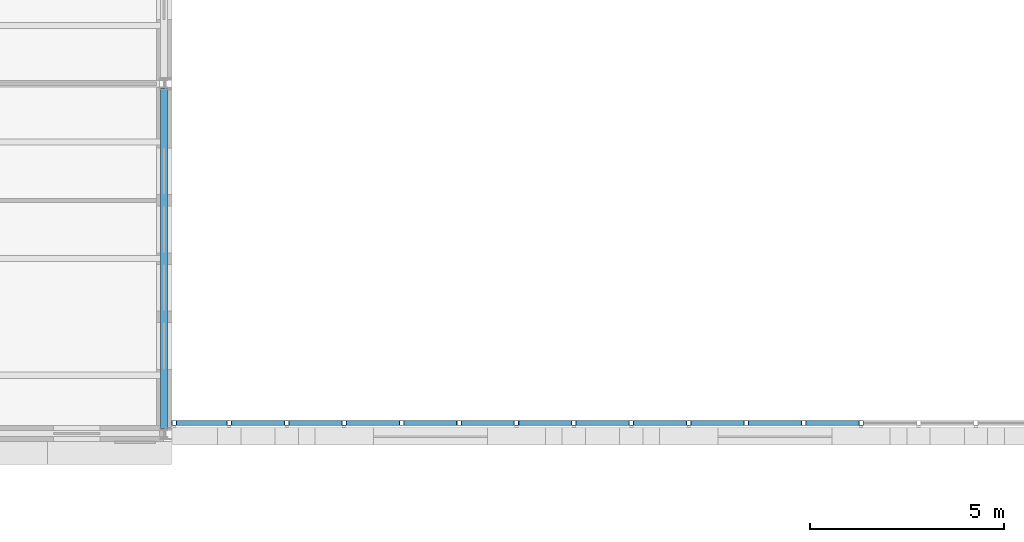
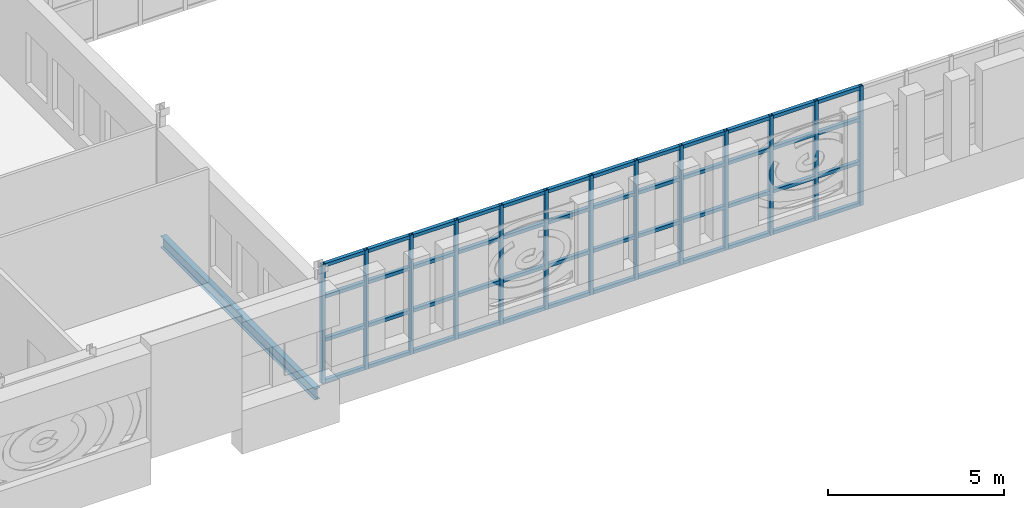
# One storey, part 22 of 154: 61 members, 1 beam, 1 element without a shape of its own.
"""IFC4 building model written with IfcOpenShell, lengths in metres."""

from ifc_helpers import new_model, si_unit, direction, frame, origin, origin_2d, place, context, subcontext, project, spatial, hollow_rectangle, i_section, extrude, material, material_profile, profile_set, type_object, element, aggregate, save


model = new_model("IFC4")

# Units and contexts
model_context = context("Model", 3, precision=1e-05, world=origin(), true_north=direction((0.0, 1.0)))
body_context = subcontext(model_context, "Body", "Model", "MODEL_VIEW")
ifc_project = project(units=[si_unit("LENGTHUNIT", "METRE"), si_unit("AREAUNIT", "SQUARE_METRE"), si_unit("VOLUMEUNIT", "CUBIC_METRE"), si_unit("PLANEANGLEUNIT", "RADIAN"), si_unit("MASSUNIT", "GRAM", prefix="KILO")], contexts=[model_context])

# Site, building, storey
site_placement = place(None, origin())
site = spatial("IfcSite", under=ifc_project, at=site_placement, CompositionType="ELEMENT")
building_placement = place(site_placement, origin())
building = spatial("IfcBuilding", under=site, at=building_placement, Name="Golden Quay Civic Hall", CompositionType="ELEMENT")
storey_placement = place(building_placement, frame((0.0, 0.0, 14.39990234375)))
storey = spatial("IfcBuildingStorey", under=building, at=storey_placement, Name="L03", CompositionType="ELEMENT", Elevation=14.39990234375)

# Beam
ifc_material_1 = material(Name="Steel S355", Category="steel")
ifc_material_profile_1 = material_profile(ifc_material_1, i_section(OverallWidth=0.179931640625, OverallDepth=0.39990234375, WebThickness=0.008544921875, FlangeThickness=0.013427734375, FilletRadius=0.02099609375, at=origin_2d()), Name="IPE 400")
ifc_profile_set_1 = profile_set([ifc_material_profile_1], Name="Steel S355")
beam_type = type_object("IfcBeamType", Name="Steel beam IPE 400", PredefinedType="BEAM", material=ifc_profile_set_1)
beam_placement = place(storey_placement, frame((72.0, 0.114990234375, -0.39990234375), z_axis=(0.0, 1.0, 0.0), x_axis=(-1.0, 0.0, 0.0)))
element("IfcBeam", 1, at=beam_placement, inside=storey, type_object=beam_type, Name="Beam L72-0", PredefinedType="BEAM", context=body_context, shape_type="SweptSolid", body=[
    extrude(i_section(OverallWidth=0.179931640625, OverallDepth=0.39990234375, WebThickness=0.008544921875, FlangeThickness=0.013427734375, FilletRadius=0.02099609375, at=origin_2d()), origin(), (0.0, 0.0, 1.0), 8.77001953125),
])

# Curtain wall, members
ifc_material_2 = material(Name="Glass and aluminium", Category="aluminium")
curtain_wall_type = type_object("IfcCurtainWallType", Name="Glazed curtain wall 1500 module", PredefinedType="NOTDEFINED", material=ifc_material_2)
curtain_wall_placement = place(storey_placement, origin())
curtain_wall = element("IfcCurtainWall", 2, at=curtain_wall_placement, inside=storey, type_object=curtain_wall_type, Name="CW1 curtain wall", PredefinedType="NOTDEFINED")
ifc_material_3 = material(Name="Steel S355", Category="steel")
ifc_material_profile_2 = material_profile(ifc_material_3, hollow_rectangle(XDim=0.1201171875, YDim=0.1201171875, WallThickness=0.008056640625, at=origin_2d()), Name="SHS 120x120x8")
ifc_profile_set_2 = profile_set([ifc_material_profile_2], Name="Steel S355")
member_type_1 = type_object("IfcMemberType", Name="Steel mullion SHS 120x120x8", PredefinedType="MULLION", material=ifc_profile_set_2)
member_1_placement = place(storey_placement, frame((72.260009765625, 0.27001953125, -0.199951171875), z_axis=(0.0, 0.0, 1.0), x_axis=(0.0, 1.0, 0.0)))
member_1 = element("IfcMember", 3, at=member_1_placement, type_object=member_type_1, Name="CW1 mullion 1", PredefinedType="MULLION", context=body_context, shape_type="SweptSolid", body=[
    extrude(hollow_rectangle(XDim=0.1201171875, YDim=0.1201171875, WallThickness=0.008056640625, at=origin_2d()), origin(), (0.0, 0.0, 1.0), 4.150146484375),
])
member_2_placement = place(storey_placement, frame((73.677734375, 0.27001953125, -0.199951171875), z_axis=(0.0, 0.0, 1.0), x_axis=(0.0, 1.0, 0.0)))
member_2 = element("IfcMember", 4, at=member_2_placement, type_object=member_type_1, Name="CW1 mullion 2", PredefinedType="MULLION", context=body_context, shape_type="SweptSolid", body=[
    extrude(hollow_rectangle(XDim=0.1201171875, YDim=0.1201171875, WallThickness=0.008056640625, at=origin_2d()), origin(), (0.0, 0.0, 1.0), 4.150146484375),
])
member_3_placement = place(storey_placement, frame((75.155517578125, 0.27001953125, -0.199951171875), z_axis=(0.0, 0.0, 1.0), x_axis=(0.0, 1.0, 0.0)))
member_3 = element("IfcMember", 5, at=member_3_placement, type_object=member_type_1, Name="CW1 mullion 3", PredefinedType="MULLION", context=body_context, shape_type="SweptSolid", body=[
    extrude(hollow_rectangle(XDim=0.1201171875, YDim=0.1201171875, WallThickness=0.008056640625, at=origin_2d()), origin(), (0.0, 0.0, 1.0), 4.150146484375),
])
member_4_placement = place(storey_placement, frame((76.63330078125, 0.27001953125, -0.199951171875), z_axis=(0.0, 0.0, 1.0), x_axis=(0.0, 1.0, 0.0)))
member_4 = element("IfcMember", 6, at=member_4_placement, type_object=member_type_1, Name="CW1 mullion 4", PredefinedType="MULLION", context=body_context, shape_type="SweptSolid", body=[
    extrude(hollow_rectangle(XDim=0.1201171875, YDim=0.1201171875, WallThickness=0.008056640625, at=origin_2d()), origin(), (0.0, 0.0, 1.0), 4.150146484375),
])
member_5_placement = place(storey_placement, frame((78.111083984375, 0.27001953125, -0.199951171875), z_axis=(0.0, 0.0, 1.0), x_axis=(0.0, 1.0, 0.0)))
member_5 = element("IfcMember", 7, at=member_5_placement, type_object=member_type_1, Name="CW1 mullion 5", PredefinedType="MULLION", context=body_context, shape_type="SweptSolid", body=[
    extrude(hollow_rectangle(XDim=0.1201171875, YDim=0.1201171875, WallThickness=0.008056640625, at=origin_2d()), origin(), (0.0, 0.0, 1.0), 4.150146484375),
])
member_6_placement = place(storey_placement, frame((79.5888671875, 0.27001953125, -0.199951171875), z_axis=(0.0, 0.0, 1.0), x_axis=(0.0, 1.0, 0.0)))
member_6 = element("IfcMember", 8, at=member_6_placement, type_object=member_type_1, Name="CW1 mullion 6", PredefinedType="MULLION", context=body_context, shape_type="SweptSolid", body=[
    extrude(hollow_rectangle(XDim=0.1201171875, YDim=0.1201171875, WallThickness=0.008056640625, at=origin_2d()), origin(), (0.0, 0.0, 1.0), 4.150146484375),
])
member_7_placement = place(storey_placement, frame((81.066650390625, 0.27001953125, -0.199951171875), z_axis=(0.0, 0.0, 1.0), x_axis=(0.0, 1.0, 0.0)))
member_7 = element("IfcMember", 9, at=member_7_placement, type_object=member_type_1, Name="CW1 mullion 7", PredefinedType="MULLION", context=body_context, shape_type="SweptSolid", body=[
    extrude(hollow_rectangle(XDim=0.1201171875, YDim=0.1201171875, WallThickness=0.008056640625, at=origin_2d()), origin(), (0.0, 0.0, 1.0), 4.150146484375),
])
member_8_placement = place(storey_placement, frame((82.54443359375, 0.27001953125, -0.199951171875), z_axis=(0.0, 0.0, 1.0), x_axis=(0.0, 1.0, 0.0)))
member_8 = element("IfcMember", 10, at=member_8_placement, type_object=member_type_1, Name="CW1 mullion 8", PredefinedType="MULLION", context=body_context, shape_type="SweptSolid", body=[
    extrude(hollow_rectangle(XDim=0.1201171875, YDim=0.1201171875, WallThickness=0.008056640625, at=origin_2d()), origin(), (0.0, 0.0, 1.0), 4.150146484375),
])
member_9_placement = place(storey_placement, frame((84.022216796875, 0.27001953125, -0.199951171875), z_axis=(0.0, 0.0, 1.0), x_axis=(0.0, 1.0, 0.0)))
member_9 = element("IfcMember", 11, at=member_9_placement, type_object=member_type_1, Name="CW1 mullion 9", PredefinedType="MULLION", context=body_context, shape_type="SweptSolid", body=[
    extrude(hollow_rectangle(XDim=0.1201171875, YDim=0.1201171875, WallThickness=0.008056640625, at=origin_2d()), origin(), (0.0, 0.0, 1.0), 4.150146484375),
])
member_10_placement = place(storey_placement, frame((85.5, 0.27001953125, -0.199951171875), z_axis=(0.0, 0.0, 1.0), x_axis=(0.0, 1.0, 0.0)))
member_10 = element("IfcMember", 12, at=member_10_placement, type_object=member_type_1, Name="CW1 mullion 10", PredefinedType="MULLION", context=body_context, shape_type="SweptSolid", body=[
    extrude(hollow_rectangle(XDim=0.1201171875, YDim=0.1201171875, WallThickness=0.008056640625, at=origin_2d()), origin(), (0.0, 0.0, 1.0), 4.150146484375),
])
member_11_placement = place(storey_placement, frame((86.977783203125, 0.27001953125, -0.199951171875), z_axis=(0.0, 0.0, 1.0), x_axis=(0.0, 1.0, 0.0)))
member_11 = element("IfcMember", 13, at=member_11_placement, type_object=member_type_1, Name="CW1 mullion 11", PredefinedType="MULLION", context=body_context, shape_type="SweptSolid", body=[
    extrude(hollow_rectangle(XDim=0.1201171875, YDim=0.1201171875, WallThickness=0.008056640625, at=origin_2d()), origin(), (0.0, 0.0, 1.0), 4.150146484375),
])
member_12_placement = place(storey_placement, frame((88.45556640625, 0.27001953125, -0.199951171875), z_axis=(0.0, 0.0, 1.0), x_axis=(0.0, 1.0, 0.0)))
member_12 = element("IfcMember", 14, at=member_12_placement, type_object=member_type_1, Name="CW1 mullion 12", PredefinedType="MULLION", context=body_context, shape_type="SweptSolid", body=[
    extrude(hollow_rectangle(XDim=0.1201171875, YDim=0.1201171875, WallThickness=0.008056640625, at=origin_2d()), origin(), (0.0, 0.0, 1.0), 4.150146484375),
])
member_13_placement = place(storey_placement, frame((89.933349609375, 0.27001953125, -0.199951171875), z_axis=(0.0, 0.0, 1.0), x_axis=(0.0, 1.0, 0.0)))
member_13 = element("IfcMember", 15, at=member_13_placement, type_object=member_type_1, Name="CW1 mullion 13", PredefinedType="MULLION", context=body_context, shape_type="SweptSolid", body=[
    extrude(hollow_rectangle(XDim=0.1201171875, YDim=0.1201171875, WallThickness=0.008056640625, at=origin_2d()), origin(), (0.0, 0.0, 1.0), 4.150146484375),
])
ifc_material_4 = material(Name="Steel S355", Category="steel")
ifc_material_profile_3 = material_profile(ifc_material_4, hollow_rectangle(XDim=0.1201171875, YDim=0.1201171875, WallThickness=0.008056640625, at=origin_2d()), Name="SHS 120x120x8")
ifc_profile_set_3 = profile_set([ifc_material_profile_3], Name="Steel S355")
member_type_2 = type_object("IfcMemberType", Name="Steel transom SHS 120x120x8", PredefinedType="USERDEFINED", material=ifc_profile_set_3)
member_14_placement = place(storey_placement, frame((72.320068359375, 0.27001953125, -0.139892578125), z_axis=(1.0, 0.0, 0.0), x_axis=(0.0, 1.0, 0.0)))
member_14 = element("IfcMember", 16, at=member_14_placement, type_object=member_type_2, Name="CW1 transom 1.1", ObjectType="TRANSOM", PredefinedType="USERDEFINED", context=body_context, shape_type="SweptSolid", body=[
    extrude(hollow_rectangle(XDim=0.1201171875, YDim=0.1201171875, WallThickness=0.008056640625, at=origin_2d()), origin(), (0.0, 0.0, 1.0), 1.297607421875),
])
member_15_placement = place(storey_placement, frame((72.320068359375, 0.27001953125, 1.300048828125), z_axis=(1.0, 0.0, 0.0), x_axis=(0.0, 1.0, 0.0)))
member_15 = element("IfcMember", 17, at=member_15_placement, type_object=member_type_2, Name="CW1 transom 1.2", ObjectType="TRANSOM", PredefinedType="USERDEFINED", context=body_context, shape_type="SweptSolid", body=[
    extrude(hollow_rectangle(XDim=0.1201171875, YDim=0.1201171875, WallThickness=0.008056640625, at=origin_2d()), origin(), (0.0, 0.0, 1.0), 1.297607421875),
])
member_16_placement = place(storey_placement, frame((72.320068359375, 0.27001953125, 2.800048828125), z_axis=(1.0, 0.0, 0.0), x_axis=(0.0, 1.0, 0.0)))
member_16 = element("IfcMember", 18, at=member_16_placement, type_object=member_type_2, Name="CW1 transom 1.3", ObjectType="TRANSOM", PredefinedType="USERDEFINED", context=body_context, shape_type="SweptSolid", body=[
    extrude(hollow_rectangle(XDim=0.1201171875, YDim=0.1201171875, WallThickness=0.008056640625, at=origin_2d()), origin(), (0.0, 0.0, 1.0), 1.297607421875),
])
member_17_placement = place(storey_placement, frame((72.320068359375, 0.27001953125, 3.89013671875), z_axis=(1.0, 0.0, 0.0), x_axis=(0.0, 1.0, 0.0)))
member_17 = element("IfcMember", 19, at=member_17_placement, type_object=member_type_2, Name="CW1 transom 1.4", ObjectType="TRANSOM", PredefinedType="USERDEFINED", context=body_context, shape_type="SweptSolid", body=[
    extrude(hollow_rectangle(XDim=0.1201171875, YDim=0.1201171875, WallThickness=0.008056640625, at=origin_2d()), origin(), (0.0, 0.0, 1.0), 1.297607421875),
])
member_18_placement = place(storey_placement, frame((73.73779296875, 0.27001953125, -0.139892578125), z_axis=(1.0, 0.0, 0.0), x_axis=(0.0, 1.0, 0.0)))
member_18 = element("IfcMember", 20, at=member_18_placement, type_object=member_type_2, Name="CW1 transom 2.1", ObjectType="TRANSOM", PredefinedType="USERDEFINED", context=body_context, shape_type="SweptSolid", body=[
    extrude(hollow_rectangle(XDim=0.1201171875, YDim=0.1201171875, WallThickness=0.008056640625, at=origin_2d()), origin(), (0.0, 0.0, 1.0), 1.357666015625),
])
member_19_placement = place(storey_placement, frame((73.73779296875, 0.27001953125, 1.300048828125), z_axis=(1.0, 0.0, 0.0), x_axis=(0.0, 1.0, 0.0)))
member_19 = element("IfcMember", 21, at=member_19_placement, type_object=member_type_2, Name="CW1 transom 2.2", ObjectType="TRANSOM", PredefinedType="USERDEFINED", context=body_context, shape_type="SweptSolid", body=[
    extrude(hollow_rectangle(XDim=0.1201171875, YDim=0.1201171875, WallThickness=0.008056640625, at=origin_2d()), origin(), (0.0, 0.0, 1.0), 1.357666015625),
])
member_20_placement = place(storey_placement, frame((73.73779296875, 0.27001953125, 2.800048828125), z_axis=(1.0, 0.0, 0.0), x_axis=(0.0, 1.0, 0.0)))
member_20 = element("IfcMember", 22, at=member_20_placement, type_object=member_type_2, Name="CW1 transom 2.3", ObjectType="TRANSOM", PredefinedType="USERDEFINED", context=body_context, shape_type="SweptSolid", body=[
    extrude(hollow_rectangle(XDim=0.1201171875, YDim=0.1201171875, WallThickness=0.008056640625, at=origin_2d()), origin(), (0.0, 0.0, 1.0), 1.357666015625),
])
member_21_placement = place(storey_placement, frame((73.73779296875, 0.27001953125, 3.89013671875), z_axis=(1.0, 0.0, 0.0), x_axis=(0.0, 1.0, 0.0)))
member_21 = element("IfcMember", 23, at=member_21_placement, type_object=member_type_2, Name="CW1 transom 2.4", ObjectType="TRANSOM", PredefinedType="USERDEFINED", context=body_context, shape_type="SweptSolid", body=[
    extrude(hollow_rectangle(XDim=0.1201171875, YDim=0.1201171875, WallThickness=0.008056640625, at=origin_2d()), origin(), (0.0, 0.0, 1.0), 1.357666015625),
])
member_22_placement = place(storey_placement, frame((75.215576171875, 0.27001953125, -0.139892578125), z_axis=(1.0, 0.0, 0.0), x_axis=(0.0, 1.0, 0.0)))
member_22 = element("IfcMember", 24, at=member_22_placement, type_object=member_type_2, Name="CW1 transom 3.1", ObjectType="TRANSOM", PredefinedType="USERDEFINED", context=body_context, shape_type="SweptSolid", body=[
    extrude(hollow_rectangle(XDim=0.1201171875, YDim=0.1201171875, WallThickness=0.008056640625, at=origin_2d()), origin(), (0.0, 0.0, 1.0), 1.357666015625),
])
member_23_placement = place(storey_placement, frame((75.215576171875, 0.27001953125, 1.300048828125), z_axis=(1.0, 0.0, 0.0), x_axis=(0.0, 1.0, 0.0)))
member_23 = element("IfcMember", 25, at=member_23_placement, type_object=member_type_2, Name="CW1 transom 3.2", ObjectType="TRANSOM", PredefinedType="USERDEFINED", context=body_context, shape_type="SweptSolid", body=[
    extrude(hollow_rectangle(XDim=0.1201171875, YDim=0.1201171875, WallThickness=0.008056640625, at=origin_2d()), origin(), (0.0, 0.0, 1.0), 1.357666015625),
])
member_24_placement = place(storey_placement, frame((75.215576171875, 0.27001953125, 2.800048828125), z_axis=(1.0, 0.0, 0.0), x_axis=(0.0, 1.0, 0.0)))
member_24 = element("IfcMember", 26, at=member_24_placement, type_object=member_type_2, Name="CW1 transom 3.3", ObjectType="TRANSOM", PredefinedType="USERDEFINED", context=body_context, shape_type="SweptSolid", body=[
    extrude(hollow_rectangle(XDim=0.1201171875, YDim=0.1201171875, WallThickness=0.008056640625, at=origin_2d()), origin(), (0.0, 0.0, 1.0), 1.357666015625),
])
member_25_placement = place(storey_placement, frame((75.215576171875, 0.27001953125, 3.89013671875), z_axis=(1.0, 0.0, 0.0), x_axis=(0.0, 1.0, 0.0)))
member_25 = element("IfcMember", 27, at=member_25_placement, type_object=member_type_2, Name="CW1 transom 3.4", ObjectType="TRANSOM", PredefinedType="USERDEFINED", context=body_context, shape_type="SweptSolid", body=[
    extrude(hollow_rectangle(XDim=0.1201171875, YDim=0.1201171875, WallThickness=0.008056640625, at=origin_2d()), origin(), (0.0, 0.0, 1.0), 1.357666015625),
])
member_26_placement = place(storey_placement, frame((76.693359375, 0.27001953125, -0.139892578125), z_axis=(1.0, 0.0, 0.0), x_axis=(0.0, 1.0, 0.0)))
member_26 = element("IfcMember", 28, at=member_26_placement, type_object=member_type_2, Name="CW1 transom 4.1", ObjectType="TRANSOM", PredefinedType="USERDEFINED", context=body_context, shape_type="SweptSolid", body=[
    extrude(hollow_rectangle(XDim=0.1201171875, YDim=0.1201171875, WallThickness=0.008056640625, at=origin_2d()), origin(), (0.0, 0.0, 1.0), 1.357666015625),
])
member_27_placement = place(storey_placement, frame((76.693359375, 0.27001953125, 1.300048828125), z_axis=(1.0, 0.0, 0.0), x_axis=(0.0, 1.0, 0.0)))
member_27 = element("IfcMember", 29, at=member_27_placement, type_object=member_type_2, Name="CW1 transom 4.2", ObjectType="TRANSOM", PredefinedType="USERDEFINED", context=body_context, shape_type="SweptSolid", body=[
    extrude(hollow_rectangle(XDim=0.1201171875, YDim=0.1201171875, WallThickness=0.008056640625, at=origin_2d()), origin(), (0.0, 0.0, 1.0), 1.357666015625),
])
member_28_placement = place(storey_placement, frame((76.693359375, 0.27001953125, 2.800048828125), z_axis=(1.0, 0.0, 0.0), x_axis=(0.0, 1.0, 0.0)))
member_28 = element("IfcMember", 30, at=member_28_placement, type_object=member_type_2, Name="CW1 transom 4.3", ObjectType="TRANSOM", PredefinedType="USERDEFINED", context=body_context, shape_type="SweptSolid", body=[
    extrude(hollow_rectangle(XDim=0.1201171875, YDim=0.1201171875, WallThickness=0.008056640625, at=origin_2d()), origin(), (0.0, 0.0, 1.0), 1.357666015625),
])
member_29_placement = place(storey_placement, frame((76.693359375, 0.27001953125, 3.89013671875), z_axis=(1.0, 0.0, 0.0), x_axis=(0.0, 1.0, 0.0)))
member_29 = element("IfcMember", 31, at=member_29_placement, type_object=member_type_2, Name="CW1 transom 4.4", ObjectType="TRANSOM", PredefinedType="USERDEFINED", context=body_context, shape_type="SweptSolid", body=[
    extrude(hollow_rectangle(XDim=0.1201171875, YDim=0.1201171875, WallThickness=0.008056640625, at=origin_2d()), origin(), (0.0, 0.0, 1.0), 1.357666015625),
])
member_30_placement = place(storey_placement, frame((78.171142578125, 0.27001953125, -0.139892578125), z_axis=(1.0, 0.0, 0.0), x_axis=(0.0, 1.0, 0.0)))
member_30 = element("IfcMember", 32, at=member_30_placement, type_object=member_type_2, Name="CW1 transom 5.1", ObjectType="TRANSOM", PredefinedType="USERDEFINED", context=body_context, shape_type="SweptSolid", body=[
    extrude(hollow_rectangle(XDim=0.1201171875, YDim=0.1201171875, WallThickness=0.008056640625, at=origin_2d()), origin(), (0.0, 0.0, 1.0), 1.357666015625),
])
member_31_placement = place(storey_placement, frame((78.171142578125, 0.27001953125, 1.300048828125), z_axis=(1.0, 0.0, 0.0), x_axis=(0.0, 1.0, 0.0)))
member_31 = element("IfcMember", 33, at=member_31_placement, type_object=member_type_2, Name="CW1 transom 5.2", ObjectType="TRANSOM", PredefinedType="USERDEFINED", context=body_context, shape_type="SweptSolid", body=[
    extrude(hollow_rectangle(XDim=0.1201171875, YDim=0.1201171875, WallThickness=0.008056640625, at=origin_2d()), origin(), (0.0, 0.0, 1.0), 1.357666015625),
])
member_32_placement = place(storey_placement, frame((78.171142578125, 0.27001953125, 2.800048828125), z_axis=(1.0, 0.0, 0.0), x_axis=(0.0, 1.0, 0.0)))
member_32 = element("IfcMember", 34, at=member_32_placement, type_object=member_type_2, Name="CW1 transom 5.3", ObjectType="TRANSOM", PredefinedType="USERDEFINED", context=body_context, shape_type="SweptSolid", body=[
    extrude(hollow_rectangle(XDim=0.1201171875, YDim=0.1201171875, WallThickness=0.008056640625, at=origin_2d()), origin(), (0.0, 0.0, 1.0), 1.357666015625),
])
member_33_placement = place(storey_placement, frame((78.171142578125, 0.27001953125, 3.89013671875), z_axis=(1.0, 0.0, 0.0), x_axis=(0.0, 1.0, 0.0)))
member_33 = element("IfcMember", 35, at=member_33_placement, type_object=member_type_2, Name="CW1 transom 5.4", ObjectType="TRANSOM", PredefinedType="USERDEFINED", context=body_context, shape_type="SweptSolid", body=[
    extrude(hollow_rectangle(XDim=0.1201171875, YDim=0.1201171875, WallThickness=0.008056640625, at=origin_2d()), origin(), (0.0, 0.0, 1.0), 1.357666015625),
])
member_34_placement = place(storey_placement, frame((79.64892578125, 0.27001953125, -0.139892578125), z_axis=(1.0, 0.0, 0.0), x_axis=(0.0, 1.0, 0.0)))
member_34 = element("IfcMember", 36, at=member_34_placement, type_object=member_type_2, Name="CW1 transom 6.1", ObjectType="TRANSOM", PredefinedType="USERDEFINED", context=body_context, shape_type="SweptSolid", body=[
    extrude(hollow_rectangle(XDim=0.1201171875, YDim=0.1201171875, WallThickness=0.008056640625, at=origin_2d()), origin(), (0.0, 0.0, 1.0), 1.357666015625),
])
member_35_placement = place(storey_placement, frame((79.64892578125, 0.27001953125, 1.300048828125), z_axis=(1.0, 0.0, 0.0), x_axis=(0.0, 1.0, 0.0)))
member_35 = element("IfcMember", 37, at=member_35_placement, type_object=member_type_2, Name="CW1 transom 6.2", ObjectType="TRANSOM", PredefinedType="USERDEFINED", context=body_context, shape_type="SweptSolid", body=[
    extrude(hollow_rectangle(XDim=0.1201171875, YDim=0.1201171875, WallThickness=0.008056640625, at=origin_2d()), origin(), (0.0, 0.0, 1.0), 1.357666015625),
])
member_36_placement = place(storey_placement, frame((79.64892578125, 0.27001953125, 2.800048828125), z_axis=(1.0, 0.0, 0.0), x_axis=(0.0, 1.0, 0.0)))
member_36 = element("IfcMember", 38, at=member_36_placement, type_object=member_type_2, Name="CW1 transom 6.3", ObjectType="TRANSOM", PredefinedType="USERDEFINED", context=body_context, shape_type="SweptSolid", body=[
    extrude(hollow_rectangle(XDim=0.1201171875, YDim=0.1201171875, WallThickness=0.008056640625, at=origin_2d()), origin(), (0.0, 0.0, 1.0), 1.357666015625),
])
member_37_placement = place(storey_placement, frame((79.64892578125, 0.27001953125, 3.89013671875), z_axis=(1.0, 0.0, 0.0), x_axis=(0.0, 1.0, 0.0)))
member_37 = element("IfcMember", 39, at=member_37_placement, type_object=member_type_2, Name="CW1 transom 6.4", ObjectType="TRANSOM", PredefinedType="USERDEFINED", context=body_context, shape_type="SweptSolid", body=[
    extrude(hollow_rectangle(XDim=0.1201171875, YDim=0.1201171875, WallThickness=0.008056640625, at=origin_2d()), origin(), (0.0, 0.0, 1.0), 1.357666015625),
])
member_38_placement = place(storey_placement, frame((81.126708984375, 0.27001953125, -0.139892578125), z_axis=(1.0, 0.0, 0.0), x_axis=(0.0, 1.0, 0.0)))
member_38 = element("IfcMember", 40, at=member_38_placement, type_object=member_type_2, Name="CW1 transom 7.1", ObjectType="TRANSOM", PredefinedType="USERDEFINED", context=body_context, shape_type="SweptSolid", body=[
    extrude(hollow_rectangle(XDim=0.1201171875, YDim=0.1201171875, WallThickness=0.008056640625, at=origin_2d()), origin(), (0.0, 0.0, 1.0), 1.357666015625),
])
member_39_placement = place(storey_placement, frame((81.126708984375, 0.27001953125, 1.300048828125), z_axis=(1.0, 0.0, 0.0), x_axis=(0.0, 1.0, 0.0)))
member_39 = element("IfcMember", 41, at=member_39_placement, type_object=member_type_2, Name="CW1 transom 7.2", ObjectType="TRANSOM", PredefinedType="USERDEFINED", context=body_context, shape_type="SweptSolid", body=[
    extrude(hollow_rectangle(XDim=0.1201171875, YDim=0.1201171875, WallThickness=0.008056640625, at=origin_2d()), origin(), (0.0, 0.0, 1.0), 1.357666015625),
])
member_40_placement = place(storey_placement, frame((81.126708984375, 0.27001953125, 2.800048828125), z_axis=(1.0, 0.0, 0.0), x_axis=(0.0, 1.0, 0.0)))
member_40 = element("IfcMember", 42, at=member_40_placement, type_object=member_type_2, Name="CW1 transom 7.3", ObjectType="TRANSOM", PredefinedType="USERDEFINED", context=body_context, shape_type="SweptSolid", body=[
    extrude(hollow_rectangle(XDim=0.1201171875, YDim=0.1201171875, WallThickness=0.008056640625, at=origin_2d()), origin(), (0.0, 0.0, 1.0), 1.357666015625),
])
member_41_placement = place(storey_placement, frame((81.126708984375, 0.27001953125, 3.89013671875), z_axis=(1.0, 0.0, 0.0), x_axis=(0.0, 1.0, 0.0)))
member_41 = element("IfcMember", 43, at=member_41_placement, type_object=member_type_2, Name="CW1 transom 7.4", ObjectType="TRANSOM", PredefinedType="USERDEFINED", context=body_context, shape_type="SweptSolid", body=[
    extrude(hollow_rectangle(XDim=0.1201171875, YDim=0.1201171875, WallThickness=0.008056640625, at=origin_2d()), origin(), (0.0, 0.0, 1.0), 1.357666015625),
])
member_42_placement = place(storey_placement, frame((82.6044921875, 0.27001953125, -0.139892578125), z_axis=(1.0, 0.0, 0.0), x_axis=(0.0, 1.0, 0.0)))
member_42 = element("IfcMember", 44, at=member_42_placement, type_object=member_type_2, Name="CW1 transom 8.1", ObjectType="TRANSOM", PredefinedType="USERDEFINED", context=body_context, shape_type="SweptSolid", body=[
    extrude(hollow_rectangle(XDim=0.1201171875, YDim=0.1201171875, WallThickness=0.008056640625, at=origin_2d()), origin(), (0.0, 0.0, 1.0), 1.357666015625),
])
member_43_placement = place(storey_placement, frame((82.6044921875, 0.27001953125, 1.300048828125), z_axis=(1.0, 0.0, 0.0), x_axis=(0.0, 1.0, 0.0)))
member_43 = element("IfcMember", 45, at=member_43_placement, type_object=member_type_2, Name="CW1 transom 8.2", ObjectType="TRANSOM", PredefinedType="USERDEFINED", context=body_context, shape_type="SweptSolid", body=[
    extrude(hollow_rectangle(XDim=0.1201171875, YDim=0.1201171875, WallThickness=0.008056640625, at=origin_2d()), origin(), (0.0, 0.0, 1.0), 1.357666015625),
])
member_44_placement = place(storey_placement, frame((82.6044921875, 0.27001953125, 2.800048828125), z_axis=(1.0, 0.0, 0.0), x_axis=(0.0, 1.0, 0.0)))
member_44 = element("IfcMember", 46, at=member_44_placement, type_object=member_type_2, Name="CW1 transom 8.3", ObjectType="TRANSOM", PredefinedType="USERDEFINED", context=body_context, shape_type="SweptSolid", body=[
    extrude(hollow_rectangle(XDim=0.1201171875, YDim=0.1201171875, WallThickness=0.008056640625, at=origin_2d()), origin(), (0.0, 0.0, 1.0), 1.357666015625),
])
member_45_placement = place(storey_placement, frame((82.6044921875, 0.27001953125, 3.89013671875), z_axis=(1.0, 0.0, 0.0), x_axis=(0.0, 1.0, 0.0)))
member_45 = element("IfcMember", 47, at=member_45_placement, type_object=member_type_2, Name="CW1 transom 8.4", ObjectType="TRANSOM", PredefinedType="USERDEFINED", context=body_context, shape_type="SweptSolid", body=[
    extrude(hollow_rectangle(XDim=0.1201171875, YDim=0.1201171875, WallThickness=0.008056640625, at=origin_2d()), origin(), (0.0, 0.0, 1.0), 1.357666015625),
])
member_46_placement = place(storey_placement, frame((84.082275390625, 0.27001953125, -0.139892578125), z_axis=(1.0, 0.0, 0.0), x_axis=(0.0, 1.0, 0.0)))
member_46 = element("IfcMember", 48, at=member_46_placement, type_object=member_type_2, Name="CW1 transom 9.1", ObjectType="TRANSOM", PredefinedType="USERDEFINED", context=body_context, shape_type="SweptSolid", body=[
    extrude(hollow_rectangle(XDim=0.1201171875, YDim=0.1201171875, WallThickness=0.008056640625, at=origin_2d()), origin(), (0.0, 0.0, 1.0), 1.357666015625),
])
member_47_placement = place(storey_placement, frame((84.082275390625, 0.27001953125, 1.300048828125), z_axis=(1.0, 0.0, 0.0), x_axis=(0.0, 1.0, 0.0)))
member_47 = element("IfcMember", 49, at=member_47_placement, type_object=member_type_2, Name="CW1 transom 9.2", ObjectType="TRANSOM", PredefinedType="USERDEFINED", context=body_context, shape_type="SweptSolid", body=[
    extrude(hollow_rectangle(XDim=0.1201171875, YDim=0.1201171875, WallThickness=0.008056640625, at=origin_2d()), origin(), (0.0, 0.0, 1.0), 1.357666015625),
])
member_48_placement = place(storey_placement, frame((84.082275390625, 0.27001953125, 2.800048828125), z_axis=(1.0, 0.0, 0.0), x_axis=(0.0, 1.0, 0.0)))
member_48 = element("IfcMember", 50, at=member_48_placement, type_object=member_type_2, Name="CW1 transom 9.3", ObjectType="TRANSOM", PredefinedType="USERDEFINED", context=body_context, shape_type="SweptSolid", body=[
    extrude(hollow_rectangle(XDim=0.1201171875, YDim=0.1201171875, WallThickness=0.008056640625, at=origin_2d()), origin(), (0.0, 0.0, 1.0), 1.357666015625),
])
member_49_placement = place(storey_placement, frame((84.082275390625, 0.27001953125, 3.89013671875), z_axis=(1.0, 0.0, 0.0), x_axis=(0.0, 1.0, 0.0)))
member_49 = element("IfcMember", 51, at=member_49_placement, type_object=member_type_2, Name="CW1 transom 9.4", ObjectType="TRANSOM", PredefinedType="USERDEFINED", context=body_context, shape_type="SweptSolid", body=[
    extrude(hollow_rectangle(XDim=0.1201171875, YDim=0.1201171875, WallThickness=0.008056640625, at=origin_2d()), origin(), (0.0, 0.0, 1.0), 1.357666015625),
])
member_50_placement = place(storey_placement, frame((85.56005859375, 0.27001953125, -0.139892578125), z_axis=(1.0, 0.0, 0.0), x_axis=(0.0, 1.0, 0.0)))
member_50 = element("IfcMember", 52, at=member_50_placement, type_object=member_type_2, Name="CW1 transom 10.1", ObjectType="TRANSOM", PredefinedType="USERDEFINED", context=body_context, shape_type="SweptSolid", body=[
    extrude(hollow_rectangle(XDim=0.1201171875, YDim=0.1201171875, WallThickness=0.008056640625, at=origin_2d()), origin(), (0.0, 0.0, 1.0), 1.357666015625),
])
member_51_placement = place(storey_placement, frame((85.56005859375, 0.27001953125, 1.300048828125), z_axis=(1.0, 0.0, 0.0), x_axis=(0.0, 1.0, 0.0)))
member_51 = element("IfcMember", 53, at=member_51_placement, type_object=member_type_2, Name="CW1 transom 10.2", ObjectType="TRANSOM", PredefinedType="USERDEFINED", context=body_context, shape_type="SweptSolid", body=[
    extrude(hollow_rectangle(XDim=0.1201171875, YDim=0.1201171875, WallThickness=0.008056640625, at=origin_2d()), origin(), (0.0, 0.0, 1.0), 1.357666015625),
])
member_52_placement = place(storey_placement, frame((85.56005859375, 0.27001953125, 2.800048828125), z_axis=(1.0, 0.0, 0.0), x_axis=(0.0, 1.0, 0.0)))
member_52 = element("IfcMember", 54, at=member_52_placement, type_object=member_type_2, Name="CW1 transom 10.3", ObjectType="TRANSOM", PredefinedType="USERDEFINED", context=body_context, shape_type="SweptSolid", body=[
    extrude(hollow_rectangle(XDim=0.1201171875, YDim=0.1201171875, WallThickness=0.008056640625, at=origin_2d()), origin(), (0.0, 0.0, 1.0), 1.357666015625),
])
member_53_placement = place(storey_placement, frame((85.56005859375, 0.27001953125, 3.89013671875), z_axis=(1.0, 0.0, 0.0), x_axis=(0.0, 1.0, 0.0)))
member_53 = element("IfcMember", 55, at=member_53_placement, type_object=member_type_2, Name="CW1 transom 10.4", ObjectType="TRANSOM", PredefinedType="USERDEFINED", context=body_context, shape_type="SweptSolid", body=[
    extrude(hollow_rectangle(XDim=0.1201171875, YDim=0.1201171875, WallThickness=0.008056640625, at=origin_2d()), origin(), (0.0, 0.0, 1.0), 1.357666015625),
])
member_54_placement = place(storey_placement, frame((87.037841796875, 0.27001953125, -0.139892578125), z_axis=(1.0, 0.0, 0.0), x_axis=(0.0, 1.0, 0.0)))
member_54 = element("IfcMember", 56, at=member_54_placement, type_object=member_type_2, Name="CW1 transom 11.1", ObjectType="TRANSOM", PredefinedType="USERDEFINED", context=body_context, shape_type="SweptSolid", body=[
    extrude(hollow_rectangle(XDim=0.1201171875, YDim=0.1201171875, WallThickness=0.008056640625, at=origin_2d()), origin(), (0.0, 0.0, 1.0), 1.357666015625),
])
member_55_placement = place(storey_placement, frame((87.037841796875, 0.27001953125, 1.300048828125), z_axis=(1.0, 0.0, 0.0), x_axis=(0.0, 1.0, 0.0)))
member_55 = element("IfcMember", 57, at=member_55_placement, type_object=member_type_2, Name="CW1 transom 11.2", ObjectType="TRANSOM", PredefinedType="USERDEFINED", context=body_context, shape_type="SweptSolid", body=[
    extrude(hollow_rectangle(XDim=0.1201171875, YDim=0.1201171875, WallThickness=0.008056640625, at=origin_2d()), origin(), (0.0, 0.0, 1.0), 1.357666015625),
])
member_56_placement = place(storey_placement, frame((87.037841796875, 0.27001953125, 2.800048828125), z_axis=(1.0, 0.0, 0.0), x_axis=(0.0, 1.0, 0.0)))
member_56 = element("IfcMember", 58, at=member_56_placement, type_object=member_type_2, Name="CW1 transom 11.3", ObjectType="TRANSOM", PredefinedType="USERDEFINED", context=body_context, shape_type="SweptSolid", body=[
    extrude(hollow_rectangle(XDim=0.1201171875, YDim=0.1201171875, WallThickness=0.008056640625, at=origin_2d()), origin(), (0.0, 0.0, 1.0), 1.357666015625),
])
member_57_placement = place(storey_placement, frame((87.037841796875, 0.27001953125, 3.89013671875), z_axis=(1.0, 0.0, 0.0), x_axis=(0.0, 1.0, 0.0)))
member_57 = element("IfcMember", 59, at=member_57_placement, type_object=member_type_2, Name="CW1 transom 11.4", ObjectType="TRANSOM", PredefinedType="USERDEFINED", context=body_context, shape_type="SweptSolid", body=[
    extrude(hollow_rectangle(XDim=0.1201171875, YDim=0.1201171875, WallThickness=0.008056640625, at=origin_2d()), origin(), (0.0, 0.0, 1.0), 1.357666015625),
])
member_58_placement = place(storey_placement, frame((88.515625, 0.27001953125, -0.139892578125), z_axis=(1.0, 0.0, 0.0), x_axis=(0.0, 1.0, 0.0)))
member_58 = element("IfcMember", 60, at=member_58_placement, type_object=member_type_2, Name="CW1 transom 12.1", ObjectType="TRANSOM", PredefinedType="USERDEFINED", context=body_context, shape_type="SweptSolid", body=[
    extrude(hollow_rectangle(XDim=0.1201171875, YDim=0.1201171875, WallThickness=0.008056640625, at=origin_2d()), origin(), (0.0, 0.0, 1.0), 1.357666015625),
])
member_59_placement = place(storey_placement, frame((88.515625, 0.27001953125, 1.300048828125), z_axis=(1.0, 0.0, 0.0), x_axis=(0.0, 1.0, 0.0)))
member_59 = element("IfcMember", 61, at=member_59_placement, type_object=member_type_2, Name="CW1 transom 12.2", ObjectType="TRANSOM", PredefinedType="USERDEFINED", context=body_context, shape_type="SweptSolid", body=[
    extrude(hollow_rectangle(XDim=0.1201171875, YDim=0.1201171875, WallThickness=0.008056640625, at=origin_2d()), origin(), (0.0, 0.0, 1.0), 1.357666015625),
])
member_60_placement = place(storey_placement, frame((88.515625, 0.27001953125, 2.800048828125), z_axis=(1.0, 0.0, 0.0), x_axis=(0.0, 1.0, 0.0)))
member_60 = element("IfcMember", 62, at=member_60_placement, type_object=member_type_2, Name="CW1 transom 12.3", ObjectType="TRANSOM", PredefinedType="USERDEFINED", context=body_context, shape_type="SweptSolid", body=[
    extrude(hollow_rectangle(XDim=0.1201171875, YDim=0.1201171875, WallThickness=0.008056640625, at=origin_2d()), origin(), (0.0, 0.0, 1.0), 1.357666015625),
])
member_61_placement = place(storey_placement, frame((88.515625, 0.27001953125, 3.89013671875), z_axis=(1.0, 0.0, 0.0), x_axis=(0.0, 1.0, 0.0)))
member_61 = element("IfcMember", 63, at=member_61_placement, type_object=member_type_2, Name="CW1 transom 12.4", ObjectType="TRANSOM", PredefinedType="USERDEFINED", context=body_context, shape_type="SweptSolid", body=[
    extrude(hollow_rectangle(XDim=0.1201171875, YDim=0.1201171875, WallThickness=0.008056640625, at=origin_2d()), origin(), (0.0, 0.0, 1.0), 1.357666015625),
])
aggregate(curtain_wall, [member_1, member_2, member_3, member_4, member_5, member_6, member_7, member_8, member_9, member_10, member_11, member_12, member_13, member_14, member_15, member_16, member_17, member_18, member_19, member_20, member_21, member_22, member_23, member_24, member_25, member_26, member_27, member_28, member_29, member_30, member_31, member_32, member_33, member_34, member_35, member_36, member_37, member_38, member_39, member_40, member_41, member_42, member_43, member_44, member_45, member_46, member_47, member_48, member_49, member_50, member_51, member_52, member_53, member_54, member_55, member_56, member_57, member_58, member_59, member_60, member_61])

save(model, "model.ifc")
